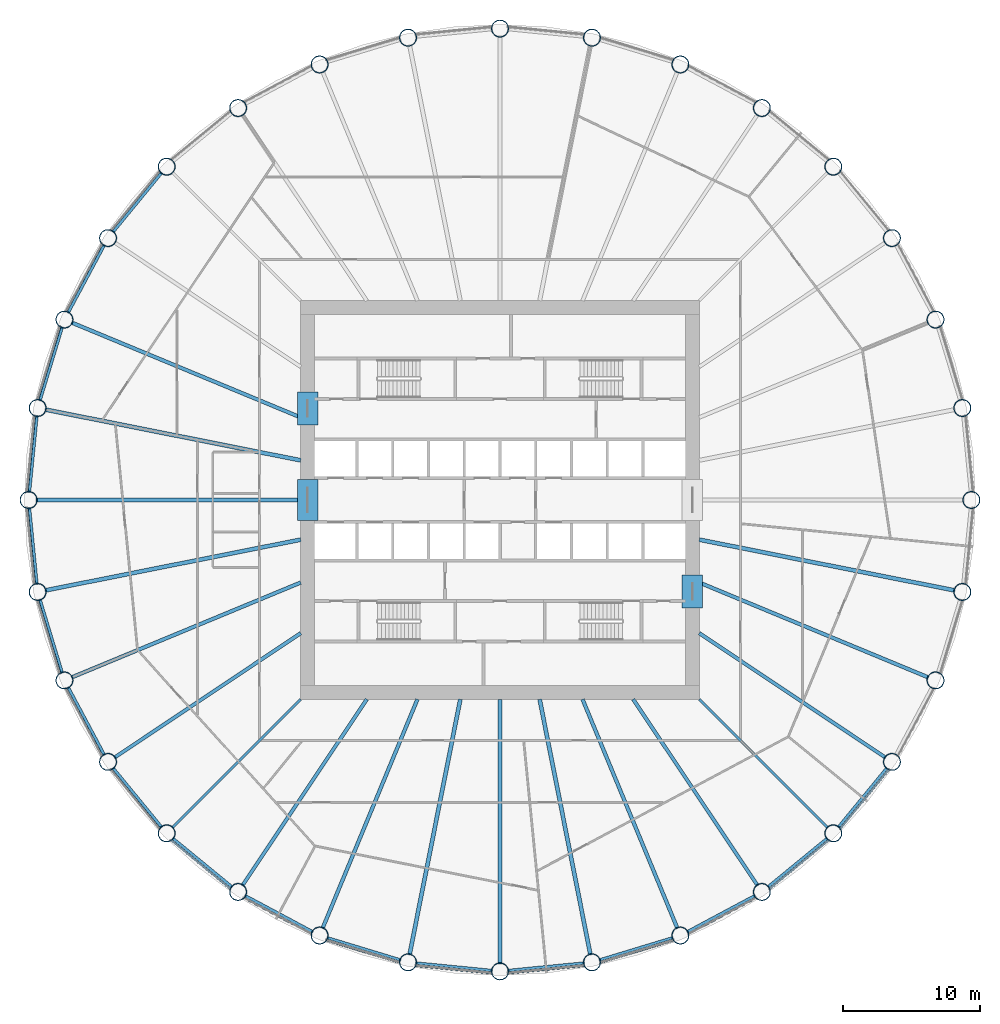
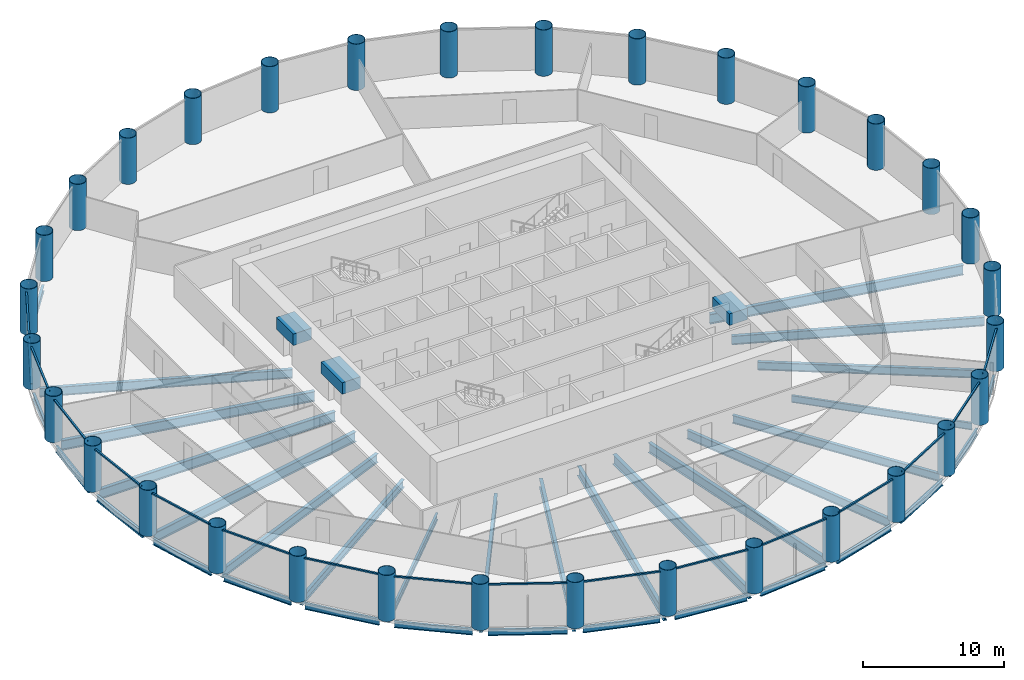
# One storey, part 1 of 9: 38 beams, 32 columns, 16 members, 16 elements without a shape of their own.
"""IFC4 building model written with IfcOpenShell, lengths in metres."""

import ifcopenshell
import ifcopenshell.guid

model = None  # the IFC model being written
_history = None  # IfcOwnerHistory: only IFC2X3 demands one
_inside = {}  # id of a spatial element -> (the spatial element, [elements in it])
_under = {}  # id of a project, library or spatial element -> (it, [spatial elements below it])
_declared = {}  # id of a project -> (the project, [libraries it declares])
_typed = {}  # id of a type object -> (the type object, [elements of that type])
_made_of = {}  # id of a material, layer set ... -> (it, [elements and type objects made of it])


def new_model(schema):
    """Start an empty IFC model of exactly this schema.

    Asked for "IFC4X3", IfcOpenShell would pick the latest addendum, in which some entities
    have other attributes; the version numbers below select the first issue.
    IFC2X3 requires an IfcOwnerHistory on every rooted entity: one is made here for all.
    """
    global model, _history
    if schema == "IFC4X3":
        model = ifcopenshell.file(schema_version=(4, 3, 0, 0))
    else:
        model = ifcopenshell.file(schema=schema)
    _inside.clear()
    _under.clear()
    _declared.clear()
    _typed.clear()
    _made_of.clear()
    _history = None
    if model.schema == "IFC2X3":
        org = make("IfcOrganization", Name="unknown")
        user = make(
            "IfcPersonAndOrganization",
            ThePerson=make("IfcPerson", FamilyName="unknown"),
            TheOrganization=org,
        )
        app = make(
            "IfcApplication",
            ApplicationDeveloper=org,
            Version="unknown",
            ApplicationFullName="unknown",
            ApplicationIdentifier="unknown",
        )
        _history = make(
            "IfcOwnerHistory",
            OwningUser=user,
            OwningApplication=app,
            ChangeAction="ADDED",
            CreationDate=0,
        )
    return model


def make(cls, **values):
    """One entity of the class cls with the attributes given. An attribute that is None is left unset."""
    return model.create_entity(
        cls, **{name: value for name, value in values.items() if value is not None}
    )


def rooted(cls, **values):
    """An entity with a GlobalId (a new one), such as an element, a storey or a relation."""
    return make(cls, GlobalId=ifcopenshell.guid.new(), OwnerHistory=_history, **values)


def si_unit(unit_type, name, prefix=None):
    """IfcSIUnit, for example si_unit("LENGTHUNIT", "METRE", prefix="MILLI")."""
    return make("IfcSIUnit", UnitType=unit_type, Prefix=prefix, Name=name)


def assignment(units):
    """IfcUnitAssignment: the units of a project."""
    return None if units is None else make("IfcUnitAssignment", Units=units)


def point(xyz):
    """IfcCartesianPoint."""
    return None if xyz is None else make("IfcCartesianPoint", Coordinates=xyz)


def direction(xyz):
    """IfcDirection."""
    return None if xyz is None else make("IfcDirection", DirectionRatios=xyz)


def frame(location, z_axis=None, x_axis=None):
    """IfcAxis2Placement3D, a coordinate frame: its origin and axes. An axis left out is left unset."""
    return make(
        "IfcAxis2Placement3D",
        Location=point(location),
        Axis=direction(z_axis),
        RefDirection=direction(x_axis),
    )


def frame_2d(location, x_axis=None):
    """IfcAxis2Placement2D, a coordinate frame in the plane: its origin and x axis."""
    return make(
        "IfcAxis2Placement2D", Location=point(location), RefDirection=direction(x_axis)
    )


def origin():
    """The frame at (0, 0, 0) with its axes left unset."""
    return frame((0.0, 0.0, 0.0))


def origin_2d():
    """The frame at (0, 0) in the plane with its x axis left unset."""
    return frame_2d((0.0, 0.0))


def place(relative_to, where):
    """IfcLocalPlacement: puts the frame where relative to a parent placement (None: the world)."""
    return make(
        "IfcLocalPlacement", PlacementRelTo=relative_to, RelativePlacement=where
    )


def context(
    kind, dimensions, precision=None, world=None, true_north=None, identifier=None
):
    """IfcGeometricRepresentationContext, for example the 3D "Model" context."""
    return make(
        "IfcGeometricRepresentationContext",
        ContextIdentifier=identifier,
        ContextType=kind,
        CoordinateSpaceDimension=dimensions,
        Precision=precision,
        WorldCoordinateSystem=world,
        TrueNorth=true_north,
    )


def subcontext(parent, identifier, kind, view, scale=None):
    """IfcGeometricRepresentationSubContext, for example "Body" below "Model"."""
    return make(
        "IfcGeometricRepresentationSubContext",
        ContextIdentifier=identifier,
        ContextType=kind,
        ParentContext=parent,
        TargetScale=scale,
        TargetView=view,
    )


def project(units=None, contexts=None):
    """IfcProject with its units and contexts."""
    return rooted(
        "IfcProject",
        Name="project",
        RepresentationContexts=contexts,
        UnitsInContext=assignment(units),
    )


def spatial(cls, under=None, at=None, **own):
    """A site, building, storey or space (cls), placed at a placement, below another one or the project."""
    s = rooted(cls, ObjectPlacement=at, **own)
    if under is not None:
        _under.setdefault(under.id(), (under, []))[1].append(s)
    return s


def profile(cls, at=None, kind="AREA", **sizes):
    """A parametric profile (cls). Its sizes go by their IFC names, for example OverallWidth=200.0."""
    return make(cls, ProfileType=kind, Position=at, **sizes)


def rectangle(**sizes):
    """IfcRectangleProfileDef."""
    return profile("IfcRectangleProfileDef", **sizes)


def hollow_circle(**sizes):
    """IfcCircleHollowProfileDef."""
    return profile("IfcCircleHollowProfileDef", **sizes)


def i_section(**sizes):
    """IfcIShapeProfileDef."""
    return profile("IfcIShapeProfileDef", **sizes)


def extrude(swept, where, along, depth):
    """IfcExtrudedAreaSolid: the profile swept, set in the frame where, extruded along a direction by depth."""
    return make(
        "IfcExtrudedAreaSolid",
        SweptArea=swept,
        Position=where,
        ExtrudedDirection=direction(along),
        Depth=depth,
    )


def shape(context_of_items, identifier, shape_type, items):
    """IfcShapeRepresentation: the items that make up one representation, for example the "Body"."""
    return make(
        "IfcShapeRepresentation",
        ContextOfItems=context_of_items,
        RepresentationIdentifier=identifier,
        RepresentationType=shape_type,
        Items=items,
    )


def material(Name=None, Category=None):
    """IfcMaterial."""
    return make("IfcMaterial", Name=Name, Category=Category)


def material_profile(
    of_material, cross_section, Name=None, Category=None, Priority=None
):
    """IfcMaterialProfile: a cross section and its material."""
    return make(
        "IfcMaterialProfile",
        Name=Name,
        Material=of_material,
        Profile=cross_section,
        Priority=Priority,
        Category=Category,
    )


def profile_set(profiles, Name=None, composite=None):
    """IfcMaterialProfileSet."""
    return make(
        "IfcMaterialProfileSet",
        Name=Name,
        MaterialProfiles=profiles,
        CompositeProfile=composite,
    )


def made_of(thing, what):
    """Note that an element or type object is made of a material, layer set ...; save() writes the relation."""
    if what is not None:
        _made_of.setdefault(what.id(), (what, []))[1].append(thing)
    return thing


def type_object(cls, material=None, **own):
    """A type object (cls), such as IfcWallType, which elements share."""
    return made_of(rooted(cls, **own), material)


def element(
    cls,
    number,
    at=None,
    inside=None,
    cuts=None,
    type_object=None,
    material=None,
    context=None,
    identifier="Body",
    shape_type=None,
    held_by="IfcProductDefinitionShape",
    body=None,
    shapes=None,
    **own,
):
    """One element of the class cls, such as IfcWall. Its Tag is "e" and its number.

    at: its placement. inside: the storey or other place that contains it. cuts: it is an
    opening in that element (IfcRelVoidsElement). A single representation is given by context,
    identifier, shape_type and body (its items); several are given by shapes. held_by: the class
    of the entity that holds the representations. save() writes the other relations.
    """
    e = rooted(cls, Tag="e%d" % number, ObjectPlacement=at, **own)
    if body is not None:
        shapes = [shape(context, identifier, shape_type, body)]
    if shapes is not None:
        e.Representation = make(held_by, Representations=shapes)
    if inside is not None:
        _inside.setdefault(inside.id(), (inside, []))[1].append(e)
    if cuts is not None:
        rooted(
            "IfcRelVoidsElement", RelatingBuildingElement=cuts, RelatedOpeningElement=e
        )
    if type_object is not None:
        _typed.setdefault(type_object.id(), (type_object, []))[1].append(e)
    return made_of(e, material)


def aggregate(whole, parts):
    """IfcRelAggregates: a whole, such as a stair, and the parts it consists of."""
    return rooted("IfcRelAggregates", RelatingObject=whole, RelatedObjects=parts)


def save(model, path):
    """Write the relations noted so far, then the file.

    IfcRelAggregates (storeys below a building ...), IfcRelContainedInSpatialStructure (elements
    in a storey), IfcRelDefinesByType, IfcRelAssociatesMaterial and IfcRelDeclares: one each for
    every whole, place, type object, material and project.
    """
    for whole, parts in _under.values():
        aggregate(whole, parts)
    for where, things in _inside.values():
        rooted(
            "IfcRelContainedInSpatialStructure",
            RelatedElements=things,
            RelatingStructure=where,
        )
    for kind, things in _typed.values():
        rooted("IfcRelDefinesByType", RelatedObjects=things, RelatingType=kind)
    for what, things in _made_of.values():
        rooted("IfcRelAssociatesMaterial", RelatedObjects=things, RelatingMaterial=what)
    for by, libraries in _declared.values():
        rooted("IfcRelDeclares", RelatingContext=by, RelatedDefinitions=libraries)
    model.write(path)


model = new_model("IFC4")

# Units and contexts
model_context = context("Model", 3, precision=1e-05, world=origin(), true_north=direction((0.0, 1.0)))
body_context = subcontext(model_context, "Body", "Model", "MODEL_VIEW")
ifc_project = project(units=[si_unit("LENGTHUNIT", "METRE"), si_unit("AREAUNIT", "SQUARE_METRE"), si_unit("VOLUMEUNIT", "CUBIC_METRE"), si_unit("PLANEANGLEUNIT", "RADIAN"), si_unit("MASSUNIT", "GRAM", prefix="KILO")], contexts=[model_context])

# Site, building, storey
site_placement = place(None, origin())
site = spatial("IfcSite", under=ifc_project, at=site_placement, CompositionType="ELEMENT")
building_placement = place(site_placement, origin())
building = spatial("IfcBuilding", under=site, at=building_placement, Name="Corvane Civic Tower", CompositionType="ELEMENT")
storey_placement = place(building_placement, frame((0.0, 0.0, 102.5)))
storey = spatial("IfcBuildingStorey", under=building, at=storey_placement, Name="L23", CompositionType="ELEMENT", Elevation=102.5)

# Columns
ifc_material_1 = material(Name="Steel ASTM A572 Gr 50", Category="steel")
ifc_material_profile_1 = material_profile(ifc_material_1, hollow_circle(Radius=0.625, WallThickness=0.035888671875, at=origin_2d()), Name="CHS1250X36")
ifc_profile_set_1 = profile_set([ifc_material_profile_1], Name="Steel ASTM A572 Gr 50")
column_type = type_object("IfcColumnType", Name="COMPOSITE COLUMN CHS1250X36", PredefinedType="COLUMN", material=ifc_profile_set_1)
for number, where, z_axis, x_axis, name in (
    (1, (0.0, 34.300048828125, 0.0), (0.0, 0.0, 1.0), (1.0, 0.0, 0.0), "COL-L23-B01"),
    (2, (6.691650390625, 33.640869140625, 0.0), (0.0, 0.0, 1.0), (1.0, 0.0, 0.0), "COL-L23-B02"),
    (3, (13.1259765625, 31.68896484375, 0.0), (0.0, 0.0, 1.0), (1.0, 0.0, 0.0), "COL-L23-B03"),
    (4, (19.05615234375, 28.519287109375, 0.0), (0.0, 0.0, 1.0), (1.0, 0.0, 0.0), "COL-L23-B04"),
    (5, (24.253662109375, 24.253662109375, 0.0), (0.0, 0.0, 1.0), (1.0, 0.0, 0.0), "COL-L23-B05"),
    (6, (28.519287109375, 19.05615234375, 0.0), (0.0, 0.0, 1.0), (1.0, 0.0, 0.0), "COL-L23-B06"),
    (7, (31.68896484375, 13.1259765625, 0.0), (0.0, 0.0, 1.0), (1.0, 0.0, 0.0), "COL-L23-B07"),
    (8, (33.640869140625, 6.691650390625, 0.0), (0.0, 0.0, 1.0), (1.0, 0.0, 0.0), "COL-L23-B08"),
    (9, (34.300048828125, 0.0, 0.0), (0.0, 0.0, 1.0), (1.0, 0.0, 0.0), "COL-L23-B09"),
    (10, (33.640869140625, -6.691650390625, 0.0), (0.0, 0.0, 1.0), (1.0, 0.0, 0.0), "COL-L23-B10"),
    (11, (31.68896484375, -13.1259765625, 0.0), (0.0, 0.0, 1.0), (1.0, 0.0, 0.0), "COL-L23-B11"),
    (12, (28.519287109375, -19.05615234375, 0.0), (0.0, 0.0, 1.0), (1.0, 0.0, 0.0), "COL-L23-B12"),
    (13, (24.253662109375, -24.253662109375, 0.0), (0.0, 0.0, 1.0), (1.0, 0.0, 0.0), "COL-L23-B13"),
    (14, (19.05615234375, -28.519287109375, 0.0), (0.0, 0.0, 1.0), (1.0, 0.0, 0.0), "COL-L23-B14"),
    (15, (13.1259765625, -31.68896484375, 0.0), (0.0, 0.0, 1.0), (1.0, 0.0, 0.0), "COL-L23-B15"),
    (16, (6.691650390625, -33.640869140625, 0.0), (0.0, 0.0, 1.0), (1.0, 0.0, 0.0), "COL-L23-B16"),
    (17, (0.0, -34.300048828125, 0.0), (0.0, 0.0, 1.0), (1.0, 0.0, 0.0), "COL-L23-B17"),
    (18, (-6.691650390625, -33.640869140625, 0.0), (0.0, 0.0, 1.0), (1.0, 0.0, 0.0), "COL-L23-B18"),
    (19, (-13.1259765625, -31.68896484375, 0.0), (0.0, 0.0, 1.0), (1.0, 0.0, 0.0), "COL-L23-B19"),
    (20, (-19.05615234375, -28.519287109375, 0.0), (0.0, 0.0, 1.0), (1.0, 0.0, 0.0), "COL-L23-B20"),
    (21, (-24.253662109375, -24.253662109375, 0.0), (0.0, 0.0, 1.0), (1.0, 0.0, 0.0), "COL-L23-B21"),
    (22, (-28.519287109375, -19.05615234375, 0.0), (0.0, 0.0, 1.0), (1.0, 0.0, 0.0), "COL-L23-B22"),
    (23, (-31.68896484375, -13.1259765625, 0.0), (0.0, 0.0, 1.0), (1.0, 0.0, 0.0), "COL-L23-B23"),
    (24, (-33.640869140625, -6.691650390625, 0.0), (0.0, 0.0, 1.0), (1.0, 0.0, 0.0), "COL-L23-B24"),
    (25, (-34.300048828125, 0.0, 0.0), (0.0, 0.0, 1.0), (1.0, 0.0, 0.0), "COL-L23-B25"),
    (26, (-33.640869140625, 6.691650390625, 0.0), (0.0, 0.0, 1.0), (1.0, 0.0, 0.0), "COL-L23-B26"),
    (27, (-31.68896484375, 13.1259765625, 0.0), (0.0, 0.0, 1.0), (1.0, 0.0, 0.0), "COL-L23-B27"),
    (28, (-28.519287109375, 19.05615234375, 0.0), (0.0, 0.0, 1.0), (1.0, 0.0, 0.0), "COL-L23-B28"),
    (29, (-24.253662109375, 24.253662109375, 0.0), (0.0, 0.0, 1.0), (1.0, 0.0, 0.0), "COL-L23-B29"),
    (30, (-19.05615234375, 28.519287109375, 0.0), (0.0, 0.0, 1.0), (1.0, 0.0, 0.0), "COL-L23-B30"),
    (31, (-13.1259765625, 31.68896484375, 0.0), (0.0, 0.0, 1.0), (1.0, 0.0, 0.0), "COL-L23-B31"),
    (32, (-6.691650390625, 33.640869140625, 0.0), (0.0, 0.0, 1.0), (1.0, 0.0, 0.0), "COL-L23-B32"),
):
    element("IfcColumn", number, at=place(storey_placement, frame(where, z_axis=z_axis, x_axis=x_axis)), inside=storey, type_object=column_type, Name=name, PredefinedType="COLUMN", context=body_context, shape_type="SweptSolid", body=[
        extrude(hollow_circle(Radius=0.625, WallThickness=0.035888671875, at=origin_2d()), origin(), (0.0, 0.0, 1.0), 4.0),
    ])

# Beams
ifc_material_2 = material(Name="Concrete C70/85", Category="concrete")
ifc_material_profile_2 = material_profile(ifc_material_2, rectangle(XDim=1.5, YDim=1.0, at=origin_2d()), Name="COUPLING BEAM 1500X1000")
ifc_profile_set_2 = profile_set([ifc_material_profile_2], Name="Concrete C70/85")
beam_type_1 = type_object("IfcBeamType", Name="COUPLING BEAM COUPLING BEAM 1500X1000", PredefinedType="BEAM", material=ifc_profile_set_2)
beam_1_placement = place(storey_placement, frame((-14.0, -1.5, 2.60009765625), z_axis=(0.0, 1.0, 0.0), x_axis=(-1.0, 0.0, 0.0)))
element("IfcBeam", 33, at=beam_1_placement, inside=storey, type_object=beam_type_1, Name="BM-L23-cpl-CW-LW", PredefinedType="BEAM", context=body_context, shape_type="SweptSolid", body=[
    extrude(rectangle(XDim=1.5, YDim=1.0, at=origin_2d()), origin(), (0.0, 0.0, 1.0), 3.0),
])
for number, where, z_axis, x_axis, name in (
    (34, (-14.0, 5.449951171875, 2.60009765625), (0.0, 1.0, 0.0), (-1.0, 0.0, 0.0), "BM-L23-cpl-CW-WN"),
    (35, (14.0, -7.85009765625, 2.60009765625), (0.0, 1.0, 0.0), (-1.0, 0.0, 0.0), "BM-L23-cpl-CW-ES"),
):
    element("IfcBeam", number, at=place(storey_placement, frame(where, z_axis=z_axis, x_axis=x_axis)), inside=storey, type_object=beam_type_1, Name=name, PredefinedType="BEAM", context=body_context, shape_type="SweptSolid", body=[
        extrude(rectangle(XDim=1.5, YDim=1.0, at=origin_2d()), origin(), (0.0, 0.0, 1.0), 2.400146484375),
    ])
ifc_material_3 = material(Name="Steel ASTM A992 Gr 50", Category="steel")
ifc_material_profile_3 = material_profile(ifc_material_3, i_section(OverallWidth=0.209228515625, OverallDepth=0.533447265625, WebThickness=0.01025390625, FlangeThickness=0.015625, at=origin_2d()), Name="W21X62")
ifc_profile_set_3 = profile_set([ifc_material_profile_3], Name="Steel ASTM A992 Gr 50")
beam_type_2 = type_object("IfcBeamType", Name="EDGE BEAM W21X62", PredefinedType="BEAM", material=ifc_profile_set_3)
for number, where, z_axis, x_axis, name in (
    (36, (28.17041015625, -19.481201171875, -0.566650390625), (-0.634397765782, -0.773006775372, 0.0), (0.773006775372, -0.634397765782, 0.0), "BM-L23-E12"),
    (37, (23.82861328125, -24.6025390625, -0.566650390625), (-0.773006775372, -0.634397765782, 0.0), (0.634397765782, -0.773006775372, 0.0), "BM-L23-E13"),
    (38, (18.571044921875, -28.778564453125, -0.566650390625), (-0.88192357867, -0.471392407008, 0.0), (0.471392407008, -0.88192357867, 0.0), "BM-L23-E14"),
):
    element("IfcBeam", number, at=place(storey_placement, frame(where, z_axis=z_axis, x_axis=x_axis)), inside=storey, type_object=beam_type_2, Name=name, PredefinedType="BEAM", context=body_context, shape_type="SweptSolid", body=[
        extrude(i_section(OverallWidth=0.209228515625, OverallDepth=0.533447265625, WebThickness=0.01025390625, FlangeThickness=0.015625, at=origin_2d()), origin(), (0.0, 0.0, 1.0), 5.6240234375),
    ])
beam_2_placement = place(storey_placement, frame((12.599609375, -31.8486328125, -0.566650390625), z_axis=(-0.956936367498, -0.290297758448, 0.0), x_axis=(0.290297758448, -0.956936367498, 0.0)))
element("IfcBeam", 39, at=beam_2_placement, inside=storey, type_object=beam_type_2, Name="BM-L23-E15", PredefinedType="BEAM", context=body_context, shape_type="SweptSolid", body=[
    extrude(i_section(OverallWidth=0.209228515625, OverallDepth=0.533447265625, WebThickness=0.01025390625, FlangeThickness=0.015625, at=origin_2d()), origin(), (0.0, 0.0, 1.0), 5.623779296875),
])
for number, where, z_axis, x_axis, name in (
    (40, (6.144287109375, -33.69482421875, -0.566650390625), (-0.995184368522, -0.098020776625, 0.0), (0.098020776625, -0.995184368522, 0.0), "BM-L23-E16"),
    (41, (-0.54736328125, -34.24609375, -0.566650390625), (-0.995184368522, 0.098020776625, 0.0), (-0.098020776625, -0.995184368522, 0.0), "BM-L23-E17"),
):
    element("IfcBeam", number, at=place(storey_placement, frame(where, z_axis=z_axis, x_axis=x_axis)), inside=storey, type_object=beam_type_2, Name=name, PredefinedType="BEAM", context=body_context, shape_type="SweptSolid", body=[
        extrude(i_section(OverallWidth=0.209228515625, OverallDepth=0.533447265625, WebThickness=0.01025390625, FlangeThickness=0.015625, at=origin_2d()), origin(), (0.0, 0.0, 1.0), 5.6240234375),
    ])
beam_3_placement = place(storey_placement, frame((-7.218017578125, -33.481201171875, -0.566650390625), z_axis=(-0.956936367498, 0.290297758448, 0.0), x_axis=(-0.290297758448, -0.956936367498, 0.0)))
element("IfcBeam", 42, at=beam_3_placement, inside=storey, type_object=beam_type_2, Name="BM-L23-E18", PredefinedType="BEAM", context=body_context, shape_type="SweptSolid", body=[
    extrude(i_section(OverallWidth=0.209228515625, OverallDepth=0.533447265625, WebThickness=0.01025390625, FlangeThickness=0.015625, at=origin_2d()), origin(), (0.0, 0.0, 1.0), 5.623779296875),
])
for number, where, z_axis, x_axis, name in (
    (43, (-13.611083984375, -31.4296875, -0.566650390625), (-0.88192357867, 0.471392407008, 0.0), (-0.471392407008, -0.88192357867, 0.0), "BM-L23-E19"),
    (44, (-19.481201171875, -28.17041015625, -0.566650390625), (-0.773006775372, 0.634397765782, 0.0), (-0.634397765782, -0.773006775372, 0.0), "BM-L23-E20"),
    (45, (-24.6025390625, -23.82861328125, -0.566650390625), (-0.634397765782, 0.773006775372, 0.0), (-0.773006775372, -0.634397765782, 0.0), "BM-L23-E21"),
    (46, (-28.778564453125, -18.571044921875, -0.566650390625), (-0.471392407008, 0.88192357867, 0.0), (-0.88192357867, -0.471392407008, 0.0), "BM-L23-E22"),
):
    element("IfcBeam", number, at=place(storey_placement, frame(where, z_axis=z_axis, x_axis=x_axis)), inside=storey, type_object=beam_type_2, Name=name, PredefinedType="BEAM", context=body_context, shape_type="SweptSolid", body=[
        extrude(i_section(OverallWidth=0.209228515625, OverallDepth=0.533447265625, WebThickness=0.01025390625, FlangeThickness=0.015625, at=origin_2d()), origin(), (0.0, 0.0, 1.0), 5.6240234375),
    ])
beam_4_placement = place(storey_placement, frame((-31.8486328125, -12.599609375, -0.566650390625), z_axis=(-0.290297758448, 0.956936367498, 0.0), x_axis=(-0.956936367498, -0.290297758448, 0.0)))
element("IfcBeam", 47, at=beam_4_placement, inside=storey, type_object=beam_type_2, Name="BM-L23-E23", PredefinedType="BEAM", context=body_context, shape_type="SweptSolid", body=[
    extrude(i_section(OverallWidth=0.209228515625, OverallDepth=0.533447265625, WebThickness=0.01025390625, FlangeThickness=0.015625, at=origin_2d()), origin(), (0.0, 0.0, 1.0), 5.623779296875),
])
for number, where, z_axis, x_axis, name in (
    (48, (-33.69482421875, -6.144287109375, -0.566650390625), (-0.098020776625, 0.995184368522, 0.0), (-0.995184368522, -0.098020776625, 0.0), "BM-L23-E24"),
    (49, (-34.24609375, 0.54736328125, -0.566650390625), (0.098020776625, 0.995184368522, 0.0), (-0.995184368522, 0.098020776625, 0.0), "BM-L23-E25"),
):
    element("IfcBeam", number, at=place(storey_placement, frame(where, z_axis=z_axis, x_axis=x_axis)), inside=storey, type_object=beam_type_2, Name=name, PredefinedType="BEAM", context=body_context, shape_type="SweptSolid", body=[
        extrude(i_section(OverallWidth=0.209228515625, OverallDepth=0.533447265625, WebThickness=0.01025390625, FlangeThickness=0.015625, at=origin_2d()), origin(), (0.0, 0.0, 1.0), 5.6240234375),
    ])
beam_5_placement = place(storey_placement, frame((-33.481201171875, 7.218017578125, -0.566650390625), z_axis=(0.290297758448, 0.956936367498, 0.0), x_axis=(-0.956936367498, 0.290297758448, 0.0)))
element("IfcBeam", 50, at=beam_5_placement, inside=storey, type_object=beam_type_2, Name="BM-L23-E26", PredefinedType="BEAM", context=body_context, shape_type="SweptSolid", body=[
    extrude(i_section(OverallWidth=0.209228515625, OverallDepth=0.533447265625, WebThickness=0.01025390625, FlangeThickness=0.015625, at=origin_2d()), origin(), (0.0, 0.0, 1.0), 5.623779296875),
])
for number, where, z_axis, x_axis, name in (
    (51, (-31.4296875, 13.611083984375, -0.566650390625), (0.471392407008, 0.88192357867, 0.0), (-0.88192357867, 0.471392407008, 0.0), "BM-L23-E27"),
    (52, (-28.17041015625, 19.481201171875, -0.566650390625), (0.634397765782, 0.773006775372, 0.0), (-0.773006775372, 0.634397765782, 0.0), "BM-L23-E28"),
):
    element("IfcBeam", number, at=place(storey_placement, frame(where, z_axis=z_axis, x_axis=x_axis)), inside=storey, type_object=beam_type_2, Name=name, PredefinedType="BEAM", context=body_context, shape_type="SweptSolid", body=[
        extrude(i_section(OverallWidth=0.209228515625, OverallDepth=0.533447265625, WebThickness=0.01025390625, FlangeThickness=0.015625, at=origin_2d()), origin(), (0.0, 0.0, 1.0), 5.6240234375),
    ])
ifc_material_4 = material(Name="Steel ASTM A992 Gr 50", Category="steel")
ifc_material_profile_4 = material_profile(ifc_material_4, i_section(OverallWidth=0.177978515625, OverallDepth=0.599365234375, WebThickness=0.010009765625, FlangeThickness=0.012939453125, at=origin_2d()), Name="W24X55")
ifc_profile_set_4 = profile_set([ifc_material_profile_4], Name="Steel ASTM A992 Gr 50")
beam_type_3 = type_object("IfcBeamType", Name="FLOOR GIRDER W24X55", PredefinedType="BEAM", material=ifc_profile_set_4)
for number, where, z_axis, x_axis, name in (
    (53, (14.5, -14.5, -0.599609375), (0.707106781187, -0.707106781187, 0.0), (0.707106781187, 0.707106781187, 0.0), "BM-L23-G13"),
    (54, (-14.5, -14.5, -0.599609375), (-0.707106781187, -0.707106781187, 0.0), (0.707106781187, -0.707106781187, 0.0), "BM-L23-G21"),
):
    element("IfcBeam", number, at=place(storey_placement, frame(where, z_axis=z_axis, x_axis=x_axis)), inside=storey, type_object=beam_type_3, Name=name, PredefinedType="BEAM", context=body_context, shape_type="SweptSolid", body=[
        extrude(i_section(OverallWidth=0.177978515625, OverallDepth=0.599365234375, WebThickness=0.010009765625, FlangeThickness=0.012939453125, at=origin_2d()), origin(), (0.0, 0.0, 1.0), 13.24365234375),
    ])
ifc_material_5 = material(Name="Steel ASTM A992 Gr 50", Category="steel")
ifc_material_profile_5 = material_profile(ifc_material_5, i_section(OverallWidth=0.256591796875, OverallDepth=0.693359375, WebThickness=0.014404296875, FlangeThickness=0.023681640625, at=origin_2d()), Name="W27X114")
ifc_profile_set_5 = profile_set([ifc_material_profile_5], Name="Steel ASTM A992 Gr 50")
beam_type_4 = type_object("IfcBeamType", Name="FLOOR GIRDER W27X114", PredefinedType="BEAM", material=ifc_profile_set_5)
for number, where, z_axis, x_axis, name in (
    (55, (14.5, -9.6884765625, -0.646728515625), (0.83146493365, -0.555577235054, 0.0), (0.555577235054, 0.83146493365, 0.0), "BM-L23-G12"),
    (56, (9.6884765625, -14.5, -0.646728515625), (0.555577235054, -0.83146493365, 0.0), (0.83146493365, 0.555577235054, 0.0), "BM-L23-G14"),
    (57, (-9.6884765625, -14.5, -0.646728515625), (-0.555577235054, -0.83146493365, 0.0), (0.83146493365, -0.555577235054, 0.0), "BM-L23-G20"),
    (58, (-14.5, -9.6884765625, -0.646728515625), (-0.83146493365, -0.555577235054, 0.0), (0.555577235054, -0.83146493365, 0.0), "BM-L23-G22"),
):
    element("IfcBeam", number, at=place(storey_placement, frame(where, z_axis=z_axis, x_axis=x_axis)), inside=storey, type_object=beam_type_4, Name=name, PredefinedType="BEAM", context=body_context, shape_type="SweptSolid", body=[
        extrude(i_section(OverallWidth=0.256591796875, OverallDepth=0.693359375, WebThickness=0.014404296875, FlangeThickness=0.023681640625, at=origin_2d()), origin(), (0.0, 0.0, 1.0), 16.31103515625),
    ])
ifc_material_6 = material(Name="Steel ASTM A992 Gr 50", Category="steel")
ifc_material_profile_6 = material_profile(ifc_material_6, i_section(OverallWidth=0.2666015625, OverallDepth=0.7568359375, WebThickness=0.013916015625, FlangeThickness=0.019287109375, at=origin_2d()), Name="W30X108")
ifc_profile_set_6 = profile_set([ifc_material_profile_6], Name="Steel ASTM A992 Gr 50")
beam_type_5 = type_object("IfcBeamType", Name="FLOOR GIRDER W30X108", PredefinedType="BEAM", material=ifc_profile_set_6)
for number, where, z_axis, x_axis, name in (
    (59, (14.5, -6.006103515625, -0.678466796875), (0.923880209691, -0.382681797504, 0.0), (0.382681797504, 0.923880209691, 0.0), "BM-L23-G11"),
    (60, (6.006103515625, -14.5, -0.678466796875), (0.382681797504, -0.923880209691, 0.0), (0.923880209691, 0.382681797504, 0.0), "BM-L23-G15"),
    (61, (-6.006103515625, -14.5, -0.678466796875), (-0.382681797504, -0.923880209691, 0.0), (0.923880209691, -0.382681797504, 0.0), "BM-L23-G19"),
    (62, (-14.5, -6.006103515625, -0.678466796875), (-0.923880209691, -0.382681797504, 0.0), (0.382681797504, -0.923880209691, 0.0), "BM-L23-G23"),
    (63, (-14.5, 6.006103515625, -0.678466796875), (-0.923880209691, 0.382681797504, 0.0), (-0.382681797504, -0.923880209691, 0.0), "BM-L23-G27"),
):
    element("IfcBeam", number, at=place(storey_placement, frame(where, z_axis=z_axis, x_axis=x_axis)), inside=storey, type_object=beam_type_5, Name=name, PredefinedType="BEAM", context=body_context, shape_type="SweptSolid", body=[
        extrude(i_section(OverallWidth=0.2666015625, OverallDepth=0.7568359375, WebThickness=0.013916015625, FlangeThickness=0.019287109375, at=origin_2d()), origin(), (0.0, 0.0, 1.0), 18.05517578125),
    ])
ifc_material_7 = material(Name="Steel ASTM A992 Gr 50", Category="steel")
ifc_material_profile_7 = material_profile(ifc_material_7, i_section(OverallWidth=0.2919921875, OverallDepth=0.8583984375, WebThickness=0.01708984375, FlangeThickness=0.031005859375, at=origin_2d()), Name="W33X169")
ifc_profile_set_7 = profile_set([ifc_material_profile_7], Name="Steel ASTM A992 Gr 50")
beam_type_6 = type_object("IfcBeamType", Name="FLOOR GIRDER W33X169", PredefinedType="BEAM", material=ifc_profile_set_7)
for number, where, z_axis, x_axis, name in (
    (64, (14.5, -2.88427734375, -0.729248046875), (0.9807865885, -0.195083745652, 0.0), (0.195083745652, 0.9807865885, 0.0), "BM-L23-G10"),
    (65, (2.88427734375, -14.5, -0.729248046875), (0.195083745652, -0.9807865885, 0.0), (0.9807865885, 0.195083745652, 0.0), "BM-L23-G16"),
):
    element("IfcBeam", number, at=place(storey_placement, frame(where, z_axis=z_axis, x_axis=x_axis)), inside=storey, type_object=beam_type_6, Name=name, PredefinedType="BEAM", context=body_context, shape_type="SweptSolid", body=[
        extrude(i_section(OverallWidth=0.2919921875, OverallDepth=0.8583984375, WebThickness=0.01708984375, FlangeThickness=0.031005859375, at=origin_2d()), origin(), (0.0, 0.0, 1.0), 18.966064453125),
    ])
beam_6_placement = place(storey_placement, frame((0.0, -14.5, -0.729248046875), z_axis=(0.0, -1.0, 0.0), x_axis=(1.0, 0.0, 0.0)))
element("IfcBeam", 66, at=beam_6_placement, inside=storey, type_object=beam_type_6, Name="BM-L23-G17", PredefinedType="BEAM", context=body_context, shape_type="SweptSolid", body=[
    extrude(i_section(OverallWidth=0.2919921875, OverallDepth=0.8583984375, WebThickness=0.01708984375, FlangeThickness=0.031005859375, at=origin_2d()), origin(), (0.0, 0.0, 1.0), 19.25),
])
for number, where, z_axis, x_axis, name in (
    (67, (-2.88427734375, -14.5, -0.729248046875), (-0.195083745652, -0.9807865885, 0.0), (0.9807865885, -0.195083745652, 0.0), "BM-L23-G18"),
    (68, (-14.5, -2.88427734375, -0.729248046875), (-0.9807865885, -0.195083745652, 0.0), (0.195083745652, -0.9807865885, 0.0), "BM-L23-G24"),
):
    element("IfcBeam", number, at=place(storey_placement, frame(where, z_axis=z_axis, x_axis=x_axis)), inside=storey, type_object=beam_type_6, Name=name, PredefinedType="BEAM", context=body_context, shape_type="SweptSolid", body=[
        extrude(i_section(OverallWidth=0.2919921875, OverallDepth=0.8583984375, WebThickness=0.01708984375, FlangeThickness=0.031005859375, at=origin_2d()), origin(), (0.0, 0.0, 1.0), 18.966064453125),
    ])
beam_7_placement = place(storey_placement, frame((-14.5, 0.0, -0.729248046875), z_axis=(-1.0, 0.0, 0.0), x_axis=(0.0, -1.0, 0.0)))
element("IfcBeam", 69, at=beam_7_placement, inside=storey, type_object=beam_type_6, Name="BM-L23-G25", PredefinedType="BEAM", context=body_context, shape_type="SweptSolid", body=[
    extrude(i_section(OverallWidth=0.2919921875, OverallDepth=0.8583984375, WebThickness=0.01708984375, FlangeThickness=0.031005859375, at=origin_2d()), origin(), (0.0, 0.0, 1.0), 19.25),
])
beam_8_placement = place(storey_placement, frame((-14.5, 2.88427734375, -0.729248046875), z_axis=(-0.9807865885, 0.195083745652, 0.0), x_axis=(-0.195083745652, -0.9807865885, 0.0)))
element("IfcBeam", 70, at=beam_8_placement, inside=storey, type_object=beam_type_6, Name="BM-L23-G26", PredefinedType="BEAM", context=body_context, shape_type="SweptSolid", body=[
    extrude(i_section(OverallWidth=0.2919921875, OverallDepth=0.8583984375, WebThickness=0.01708984375, FlangeThickness=0.031005859375, at=origin_2d()), origin(), (0.0, 0.0, 1.0), 18.966064453125),
])

# Curtain wall, member
ifc_material_8 = material(Name="Anodised aluminium bronze", Category="aluminium")
curtain_wall_type = type_object("IfcCurtainWallType", Name="TOWER CW-T1 STICK CURTAIN WALL", PredefinedType="NOTDEFINED", material=ifc_material_8)
curtain_wall_1_placement = place(storey_placement, origin())
curtain_wall_1 = element("IfcCurtainWall", 71, at=curtain_wall_1_placement, inside=storey, type_object=curtain_wall_type, Name="Curtain wall CW-T1 L23 bay 12", PredefinedType="NOTDEFINED")
ifc_material_9 = material(Name="Anodised aluminium bronze", Category="aluminium")
ifc_material_profile_8 = material_profile(ifc_material_9, rectangle(XDim=0.139892578125, YDim=0.1201171875, at=origin_2d()), Name="TOWER CW-T1 TRANSOM 140x120")
ifc_profile_set_8 = profile_set([ifc_material_profile_8], Name="Anodised aluminium bronze")
member_type = type_object("IfcMemberType", Name="TOWER CW-T1 TRANSOM 140x120", PredefinedType="USERDEFINED", material=ifc_profile_set_8)
member_1_placement = place(storey_placement, frame((28.297119140625, -19.609619140625, 3.68994140625), z_axis=(-0.634410369295, -0.772996431642, 0.0), x_axis=(0.772996431642, -0.634410369295, 0.0)))
member_1 = element("IfcMember", 72, at=member_1_placement, type_object=member_type, Name="Transom CW-T1 L23 12.1", ObjectType="TRANSOM", PredefinedType="USERDEFINED", context=body_context, shape_type="SweptSolid", body=[
    extrude(rectangle(XDim=0.139892578125, YDim=0.1201171875, at=origin_2d()), origin(), (0.0, 0.0, 1.0), 5.586181640625),
])
aggregate(curtain_wall_1, [member_1])

curtain_wall_2_placement = place(storey_placement, origin())
curtain_wall_2 = element("IfcCurtainWall", 73, at=curtain_wall_2_placement, inside=storey, type_object=curtain_wall_type, Name="Curtain wall CW-T1 L23 bay 13", PredefinedType="NOTDEFINED")
member_2_placement = place(storey_placement, frame((23.927734375, -24.753173828125, 3.68994140625), z_axis=(-0.772996431642, -0.634410369295, 0.0), x_axis=(0.634410369295, -0.772996431642, 0.0)))
member_2 = element("IfcMember", 74, at=member_2_placement, type_object=member_type, Name="Transom CW-T1 L23 13.1", ObjectType="TRANSOM", PredefinedType="USERDEFINED", context=body_context, shape_type="SweptSolid", body=[
    extrude(rectangle(XDim=0.139892578125, YDim=0.1201171875, at=origin_2d()), origin(), (0.0, 0.0, 1.0), 5.586181640625),
])
aggregate(curtain_wall_2, [member_2])

curtain_wall_3_placement = place(storey_placement, origin())
curtain_wall_3 = element("IfcCurtainWall", 75, at=curtain_wall_3_placement, inside=storey, type_object=curtain_wall_type, Name="Curtain wall CW-T1 L23 bay 14", PredefinedType="NOTDEFINED")
member_3_placement = place(storey_placement, frame((18.63916015625, -28.945556640625, 3.68994140625), z_axis=(-0.881920705407, -0.47139778253, 0.0), x_axis=(0.47139778253, -0.881920705407, 0.0)))
member_3 = element("IfcMember", 76, at=member_3_placement, type_object=member_type, Name="Transom CW-T1 L23 14.1", ObjectType="TRANSOM", PredefinedType="USERDEFINED", context=body_context, shape_type="SweptSolid", body=[
    extrude(rectangle(XDim=0.139892578125, YDim=0.1201171875, at=origin_2d()), origin(), (0.0, 0.0, 1.0), 5.586669921875),
])
aggregate(curtain_wall_3, [member_3])

curtain_wall_4_placement = place(storey_placement, origin())
curtain_wall_4 = element("IfcCurtainWall", 77, at=curtain_wall_4_placement, inside=storey, type_object=curtain_wall_type, Name="Curtain wall CW-T1 L23 bay 15", PredefinedType="NOTDEFINED")
member_4_placement = place(storey_placement, frame((12.6337890625, -32.025634765625, 3.68994140625), z_axis=(-0.956944977029, -0.290269376509, 0.0), x_axis=(0.290269376509, -0.956944977029, 0.0)))
member_4 = element("IfcMember", 78, at=member_4_placement, type_object=member_type, Name="Transom CW-T1 L23 15.1", ObjectType="TRANSOM", PredefinedType="USERDEFINED", context=body_context, shape_type="SweptSolid", body=[
    extrude(rectangle(XDim=0.139892578125, YDim=0.1201171875, at=origin_2d()), origin(), (0.0, 0.0, 1.0), 5.58642578125),
])
aggregate(curtain_wall_4, [member_4])

curtain_wall_5_placement = place(storey_placement, origin())
curtain_wall_5 = element("IfcCurtainWall", 79, at=curtain_wall_5_placement, inside=storey, type_object=curtain_wall_type, Name="Curtain wall CW-T1 L23 bay 16", PredefinedType="NOTDEFINED")
member_5_placement = place(storey_placement, frame((6.14306640625, -33.874755859375, 3.68994140625), z_axis=(-0.995179807033, -0.098067077419, 0.0), x_axis=(0.098067077419, -0.995179807033, 0.0)))
member_5 = element("IfcMember", 80, at=member_5_placement, type_object=member_type, Name="Transom CW-T1 L23 16.1", ObjectType="TRANSOM", PredefinedType="USERDEFINED", context=body_context, shape_type="SweptSolid", body=[
    extrude(rectangle(XDim=0.139892578125, YDim=0.1201171875, at=origin_2d()), origin(), (0.0, 0.0, 1.0), 5.58642578125),
])
aggregate(curtain_wall_5, [member_5])

curtain_wall_6_placement = place(storey_placement, origin())
curtain_wall_6 = element("IfcCurtainWall", 81, at=curtain_wall_6_placement, inside=storey, type_object=curtain_wall_type, Name="Curtain wall CW-T1 L23 bay 17", PredefinedType="NOTDEFINED")
member_6_placement = place(storey_placement, frame((-0.58349609375, -34.422607421875, 3.68994140625), z_axis=(-0.995179807033, 0.098067077419, 0.0), x_axis=(-0.098067077419, -0.995179807033, 0.0)))
member_6 = element("IfcMember", 82, at=member_6_placement, type_object=member_type, Name="Transom CW-T1 L23 17.1", ObjectType="TRANSOM", PredefinedType="USERDEFINED", context=body_context, shape_type="SweptSolid", body=[
    extrude(rectangle(XDim=0.139892578125, YDim=0.1201171875, at=origin_2d()), origin(), (0.0, 0.0, 1.0), 5.58642578125),
])
aggregate(curtain_wall_6, [member_6])

curtain_wall_7_placement = place(storey_placement, origin())
curtain_wall_7 = element("IfcCurtainWall", 83, at=curtain_wall_7_placement, inside=storey, type_object=curtain_wall_type, Name="Curtain wall CW-T1 L23 bay 18", PredefinedType="NOTDEFINED")
member_7_placement = place(storey_placement, frame((-7.287841796875, -33.647216796875, 3.68994140625), z_axis=(-0.956944977029, 0.290269376509, 0.0), x_axis=(-0.290269376509, -0.956944977029, 0.0)))
member_7 = element("IfcMember", 84, at=member_7_placement, type_object=member_type, Name="Transom CW-T1 L23 18.1", ObjectType="TRANSOM", PredefinedType="USERDEFINED", context=body_context, shape_type="SweptSolid", body=[
    extrude(rectangle(XDim=0.139892578125, YDim=0.1201171875, at=origin_2d()), origin(), (0.0, 0.0, 1.0), 5.58642578125),
])
aggregate(curtain_wall_7, [member_7])

curtain_wall_8_placement = place(storey_placement, origin())
curtain_wall_8 = element("IfcCurtainWall", 85, at=curtain_wall_8_placement, inside=storey, type_object=curtain_wall_type, Name="Curtain wall CW-T1 L23 bay 19", PredefinedType="NOTDEFINED")
member_8_placement = place(storey_placement, frame((-13.712158203125, -31.5791015625, 3.68994140625), z_axis=(-0.881920705407, 0.47139778253, 0.0), x_axis=(-0.47139778253, -0.881920705407, 0.0)))
member_8 = element("IfcMember", 86, at=member_8_placement, type_object=member_type, Name="Transom CW-T1 L23 19.1", ObjectType="TRANSOM", PredefinedType="USERDEFINED", context=body_context, shape_type="SweptSolid", body=[
    extrude(rectangle(XDim=0.139892578125, YDim=0.1201171875, at=origin_2d()), origin(), (0.0, 0.0, 1.0), 5.586669921875),
])
aggregate(curtain_wall_8, [member_8])

curtain_wall_9_placement = place(storey_placement, origin())
curtain_wall_9 = element("IfcCurtainWall", 87, at=curtain_wall_9_placement, inside=storey, type_object=curtain_wall_type, Name="Curtain wall CW-T1 L23 bay 20", PredefinedType="NOTDEFINED")
member_9_placement = place(storey_placement, frame((-19.609619140625, -28.297119140625, 3.68994140625), z_axis=(-0.772996431642, 0.634410369295, 0.0), x_axis=(-0.634410369295, -0.772996431642, 0.0)))
member_9 = element("IfcMember", 88, at=member_9_placement, type_object=member_type, Name="Transom CW-T1 L23 20.1", ObjectType="TRANSOM", PredefinedType="USERDEFINED", context=body_context, shape_type="SweptSolid", body=[
    extrude(rectangle(XDim=0.139892578125, YDim=0.1201171875, at=origin_2d()), origin(), (0.0, 0.0, 1.0), 5.586181640625),
])
aggregate(curtain_wall_9, [member_9])

curtain_wall_10_placement = place(storey_placement, origin())
curtain_wall_10 = element("IfcCurtainWall", 89, at=curtain_wall_10_placement, inside=storey, type_object=curtain_wall_type, Name="Curtain wall CW-T1 L23 bay 21", PredefinedType="NOTDEFINED")
member_10_placement = place(storey_placement, frame((-24.753173828125, -23.927734375, 3.68994140625), z_axis=(-0.634410369295, 0.772996431642, 0.0), x_axis=(-0.772996431642, -0.634410369295, 0.0)))
member_10 = element("IfcMember", 90, at=member_10_placement, type_object=member_type, Name="Transom CW-T1 L23 21.1", ObjectType="TRANSOM", PredefinedType="USERDEFINED", context=body_context, shape_type="SweptSolid", body=[
    extrude(rectangle(XDim=0.139892578125, YDim=0.1201171875, at=origin_2d()), origin(), (0.0, 0.0, 1.0), 5.586181640625),
])
aggregate(curtain_wall_10, [member_10])

curtain_wall_11_placement = place(storey_placement, origin())
curtain_wall_11 = element("IfcCurtainWall", 91, at=curtain_wall_11_placement, inside=storey, type_object=curtain_wall_type, Name="Curtain wall CW-T1 L23 bay 22", PredefinedType="NOTDEFINED")
member_11_placement = place(storey_placement, frame((-28.945556640625, -18.63916015625, 3.68994140625), z_axis=(-0.47139778253, 0.881920705407, 0.0), x_axis=(-0.881920705407, -0.47139778253, 0.0)))
member_11 = element("IfcMember", 92, at=member_11_placement, type_object=member_type, Name="Transom CW-T1 L23 22.1", ObjectType="TRANSOM", PredefinedType="USERDEFINED", context=body_context, shape_type="SweptSolid", body=[
    extrude(rectangle(XDim=0.139892578125, YDim=0.1201171875, at=origin_2d()), origin(), (0.0, 0.0, 1.0), 5.586669921875),
])
aggregate(curtain_wall_11, [member_11])

curtain_wall_12_placement = place(storey_placement, origin())
curtain_wall_12 = element("IfcCurtainWall", 93, at=curtain_wall_12_placement, inside=storey, type_object=curtain_wall_type, Name="Curtain wall CW-T1 L23 bay 23", PredefinedType="NOTDEFINED")
member_12_placement = place(storey_placement, frame((-32.025634765625, -12.6337890625, 3.68994140625), z_axis=(-0.290269376509, 0.956944977029, 0.0), x_axis=(-0.956944977029, -0.290269376509, 0.0)))
member_12 = element("IfcMember", 94, at=member_12_placement, type_object=member_type, Name="Transom CW-T1 L23 23.1", ObjectType="TRANSOM", PredefinedType="USERDEFINED", context=body_context, shape_type="SweptSolid", body=[
    extrude(rectangle(XDim=0.139892578125, YDim=0.1201171875, at=origin_2d()), origin(), (0.0, 0.0, 1.0), 5.58642578125),
])
aggregate(curtain_wall_12, [member_12])

curtain_wall_13_placement = place(storey_placement, origin())
curtain_wall_13 = element("IfcCurtainWall", 95, at=curtain_wall_13_placement, inside=storey, type_object=curtain_wall_type, Name="Curtain wall CW-T1 L23 bay 24", PredefinedType="NOTDEFINED")
member_13_placement = place(storey_placement, frame((-33.874755859375, -6.14306640625, 3.68994140625), z_axis=(-0.098067077419, 0.995179807033, 0.0), x_axis=(-0.995179807033, -0.098067077419, 0.0)))
member_13 = element("IfcMember", 96, at=member_13_placement, type_object=member_type, Name="Transom CW-T1 L23 24.1", ObjectType="TRANSOM", PredefinedType="USERDEFINED", context=body_context, shape_type="SweptSolid", body=[
    extrude(rectangle(XDim=0.139892578125, YDim=0.1201171875, at=origin_2d()), origin(), (0.0, 0.0, 1.0), 5.58642578125),
])
aggregate(curtain_wall_13, [member_13])

curtain_wall_14_placement = place(storey_placement, origin())
curtain_wall_14 = element("IfcCurtainWall", 97, at=curtain_wall_14_placement, inside=storey, type_object=curtain_wall_type, Name="Curtain wall CW-T1 L23 bay 25", PredefinedType="NOTDEFINED")
member_14_placement = place(storey_placement, frame((-34.422607421875, 0.58349609375, 3.68994140625), z_axis=(0.098067077419, 0.995179807033, 0.0), x_axis=(-0.995179807033, 0.098067077419, 0.0)))
member_14 = element("IfcMember", 98, at=member_14_placement, type_object=member_type, Name="Transom CW-T1 L23 25.1", ObjectType="TRANSOM", PredefinedType="USERDEFINED", context=body_context, shape_type="SweptSolid", body=[
    extrude(rectangle(XDim=0.139892578125, YDim=0.1201171875, at=origin_2d()), origin(), (0.0, 0.0, 1.0), 5.58642578125),
])
aggregate(curtain_wall_14, [member_14])

curtain_wall_15_placement = place(storey_placement, origin())
curtain_wall_15 = element("IfcCurtainWall", 99, at=curtain_wall_15_placement, inside=storey, type_object=curtain_wall_type, Name="Curtain wall CW-T1 L23 bay 26", PredefinedType="NOTDEFINED")
member_15_placement = place(storey_placement, frame((-33.647216796875, 7.287841796875, 3.68994140625), z_axis=(0.290269376509, 0.956944977029, 0.0), x_axis=(-0.956944977029, 0.290269376509, 0.0)))
member_15 = element("IfcMember", 100, at=member_15_placement, type_object=member_type, Name="Transom CW-T1 L23 26.1", ObjectType="TRANSOM", PredefinedType="USERDEFINED", context=body_context, shape_type="SweptSolid", body=[
    extrude(rectangle(XDim=0.139892578125, YDim=0.1201171875, at=origin_2d()), origin(), (0.0, 0.0, 1.0), 5.58642578125),
])
aggregate(curtain_wall_15, [member_15])

curtain_wall_16_placement = place(storey_placement, origin())
curtain_wall_16 = element("IfcCurtainWall", 101, at=curtain_wall_16_placement, inside=storey, type_object=curtain_wall_type, Name="Curtain wall CW-T1 L23 bay 27", PredefinedType="NOTDEFINED")
member_16_placement = place(storey_placement, frame((-31.5791015625, 13.712158203125, 3.68994140625), z_axis=(0.47139778253, 0.881920705407, 0.0), x_axis=(-0.881920705407, 0.47139778253, 0.0)))
member_16 = element("IfcMember", 102, at=member_16_placement, type_object=member_type, Name="Transom CW-T1 L23 27.1", ObjectType="TRANSOM", PredefinedType="USERDEFINED", context=body_context, shape_type="SweptSolid", body=[
    extrude(rectangle(XDim=0.139892578125, YDim=0.1201171875, at=origin_2d()), origin(), (0.0, 0.0, 1.0), 5.586669921875),
])
aggregate(curtain_wall_16, [member_16])

save(model, "model.ifc")
